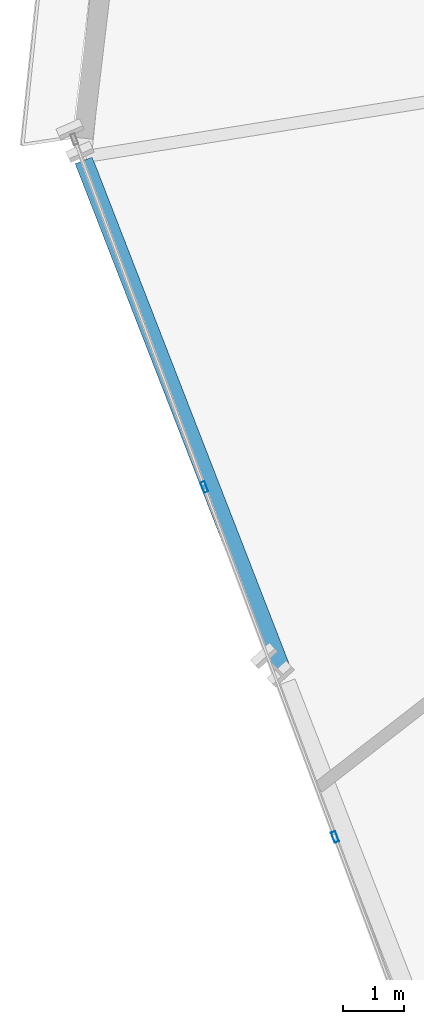
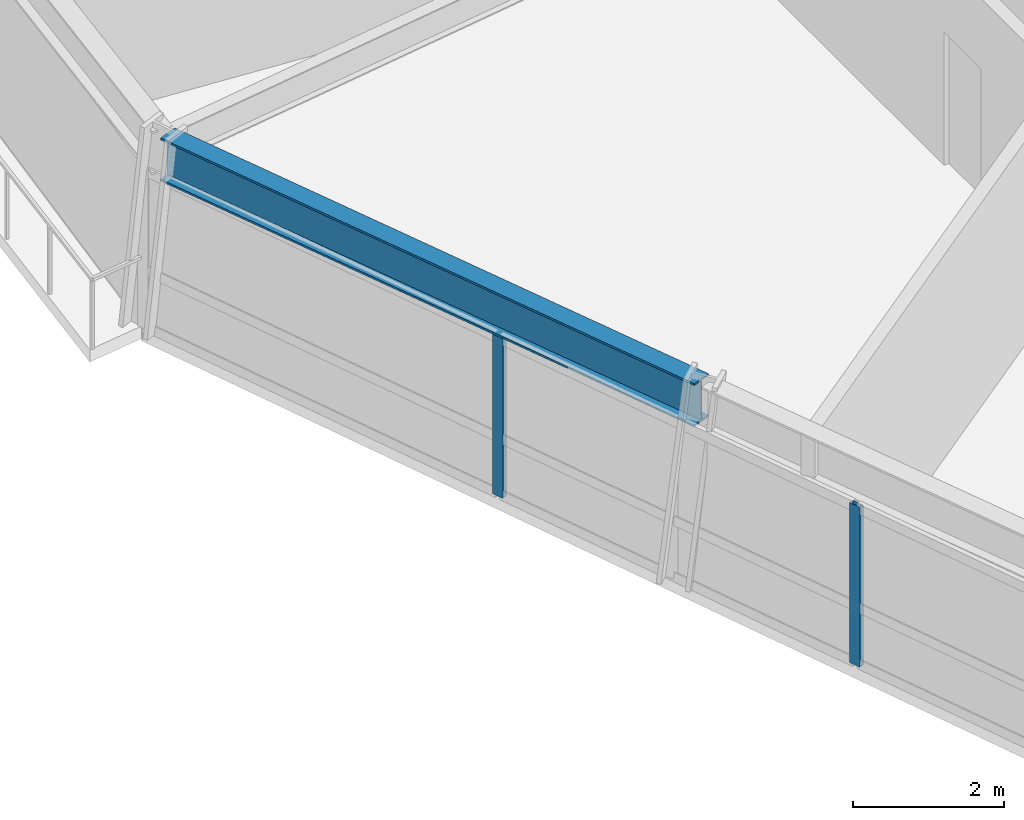
# One storey, part 4 of 21: 2 members, 1 beam, 1 element without a shape of its own.
"""IFC4 building model written with IfcOpenShell, lengths in metres."""

from ifc_helpers import new_model, si_unit, direction, frame, origin, origin_2d, place, context, subcontext, project, spatial, hollow_rectangle, i_section, extrude, source, transform, mapped, material, material_profile, profile_set, type_object, element, aggregate, save


model = new_model("IFC4")

# Units and contexts
model_context = context("Model", 3, precision=1e-05, world=origin(), true_north=direction((0.0, 1.0)))
body_context = subcontext(model_context, "Body", "Model", "MODEL_VIEW")
ifc_project = project(units=[si_unit("LENGTHUNIT", "METRE"), si_unit("AREAUNIT", "SQUARE_METRE"), si_unit("VOLUMEUNIT", "CUBIC_METRE"), si_unit("PLANEANGLEUNIT", "RADIAN"), si_unit("MASSUNIT", "GRAM", prefix="KILO")], contexts=[model_context])

# Site, building, storey
site_placement = place(None, origin())
site = spatial("IfcSite", under=ifc_project, at=site_placement, CompositionType="ELEMENT")
building_placement = place(site_placement, origin())
building = spatial("IfcBuilding", under=site, at=building_placement, Name="Olszyna Solenne Hotel", CompositionType="ELEMENT")
storey_placement = place(building_placement, frame((0.0, 0.0, 68.35009765625)))
storey = spatial("IfcBuildingStorey", under=building, at=storey_placement, Name="L17", CompositionType="ELEMENT", Elevation=68.35009765625)

# Beam
ifc_material_1 = material(Name="Steel S355J2", Category="steel")
ifc_material_profile_1 = material_profile(ifc_material_1, i_section(OverallWidth=0.300048828125, OverallDepth=0.699951171875, WebThickness=0.01708984375, FlangeThickness=0.031982421875, at=origin_2d()), Name="HEB 700", Category="load-bearing")
ifc_profile_set_1 = profile_set([ifc_material_profile_1], Name="Steel S355J2")
beam_type = type_object("IfcBeamType", Name="BM-S1", PredefinedType="BEAM", material=ifc_profile_set_1)
shared_shape_1 = source(origin(), body_context, "Body", "SweptSolid", [
    extrude(i_section(OverallWidth=0.300048828125, OverallDepth=0.699951171875, WebThickness=0.01708984375, FlangeThickness=0.031982421875, at=origin_2d()), origin(), (0.0, 0.0, 1.0), 9.086669921875),
])
beam_placement = place(storey_placement, frame((16.290283203125, 23.065185546875, 2.949951171875), z_axis=(0.362316599159, -0.932055085268, 0.0), x_axis=(0.932055085268, 0.362316599159, 0.0)))
element("IfcBeam", 1, at=beam_placement, inside=storey, type_object=beam_type, Name="Perimeter spandrel beam BM-S1 B-L17-0530", PredefinedType="BEAM", context=body_context, shape_type="MappedRepresentation", body=[
    mapped(shared_shape_1, transform((0.0, 0.0, 0.0), x_axis=(1.0, 0.0, 0.0), y_axis=(0.0, 1.0, 0.0), z_axis=(0.0, 0.0, 1.0), scale=1.0)),
])

# Curtain wall, members
ifc_material_2 = material(Name="Anodised bronze aluminium", Category="aluminium")
curtain_wall_type = type_object("IfcCurtainWallType", Name="CW-SYS-2", PredefinedType="NOTDEFINED", material=ifc_material_2)
curtain_wall_placement = place(storey_placement, origin())
curtain_wall = element("IfcCurtainWall", 2, at=curtain_wall_placement, inside=storey, type_object=curtain_wall_type, Name="Unitised curtain wall CW-SYS-2 CW-L17-01", PredefinedType="NOTDEFINED")
ifc_material_profile_2 = material_profile(ifc_material_2, hollow_rectangle(XDim=0.074951171875, YDim=0.179931640625, WallThickness=0.00439453125, at=origin_2d()), Name="MULL 180x75x4.5", Category="load-bearing")
ifc_profile_set_2 = profile_set([ifc_material_profile_2], Name="Anodised bronze aluminium")
member_type = type_object("IfcMemberType", Name="CW-M2", PredefinedType="MULLION", material=ifc_profile_set_2)
shared_shape_2 = source(origin(), body_context, "Body", "SweptSolid", [
    extrude(hollow_rectangle(XDim=0.074951171875, YDim=0.179931640625, WallThickness=0.00439453125, at=origin_2d()), origin(), (0.0, 0.0, 1.0), 2.591796875),
])
member_1_placement = place(storey_placement, frame((18.273681640625, 17.694091796875, 0.0), z_axis=(0.0, 0.0, 1.0), x_axis=(0.936756287114, 0.349982368916, 0.0)))
member_1 = element("IfcMember", 3, at=member_1_placement, type_object=member_type, Name="Curtain-wall mullion CW-M2 CM-L17-01-02", PredefinedType="MULLION", context=body_context, shape_type="MappedRepresentation", body=[
    mapped(shared_shape_2, transform((0.0, 0.0, 0.0), x_axis=(1.0, 0.0, 0.0), y_axis=(0.0, 1.0, 0.0), z_axis=(0.0, 0.0, 1.0), scale=1.0)),
])
member_2_placement = place(storey_placement, frame((20.42431640625, 11.93798828125, 0.0), z_axis=(0.0, 0.0, 1.0), x_axis=(0.936756287114, 0.349982368916, 0.0)))
member_2 = element("IfcMember", 4, at=member_2_placement, type_object=member_type, Name="Curtain-wall mullion CW-M2 CM-L17-01-03", PredefinedType="MULLION", context=body_context, shape_type="MappedRepresentation", body=[
    mapped(shared_shape_2, transform((0.0, 0.0, 0.0), x_axis=(1.0, 0.0, 0.0), y_axis=(0.0, 1.0, 0.0), z_axis=(0.0, 0.0, 1.0), scale=1.0)),
])
aggregate(curtain_wall, [member_1, member_2])

save(model, "model.ifc")
